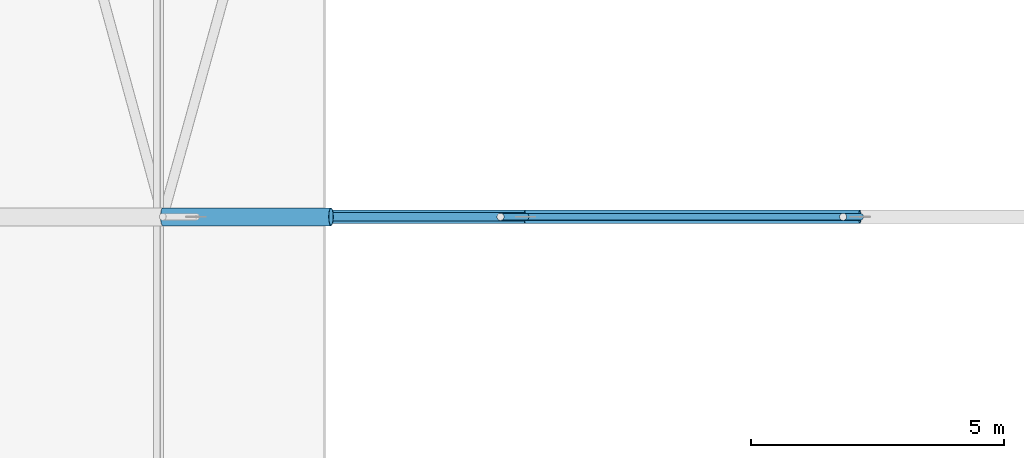
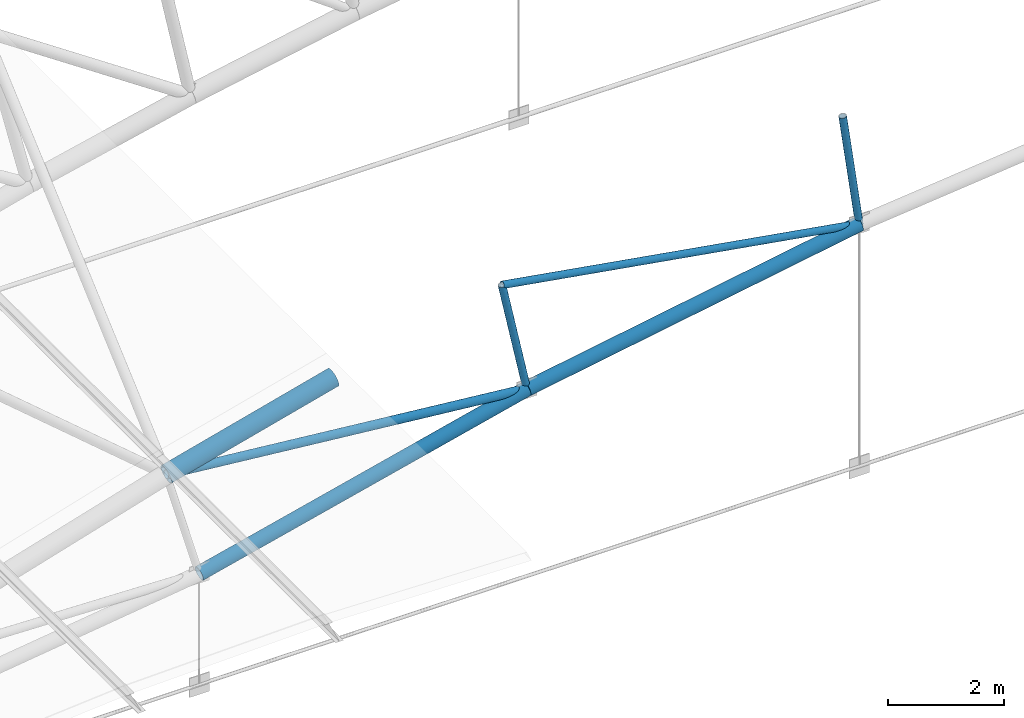
# One storey, part 35 of 321: 7 members.
"""IFC4 building model written with IfcOpenShell, lengths in metres."""

from ifc_helpers import new_model, si_unit, direction, frame, origin, origin_2d, place, context, subcontext, project, spatial, hollow_circle, extrude, material, material_profile, profile_set, type_object, element, save


model = new_model("IFC4")

# Units and contexts
model_context = context("Model", 3, precision=1e-05, world=origin(), true_north=direction((0.0, 1.0)))
body_context = subcontext(model_context, "Body", "Model", "MODEL_VIEW")
ifc_project = project(units=[si_unit("LENGTHUNIT", "METRE"), si_unit("AREAUNIT", "SQUARE_METRE"), si_unit("VOLUMEUNIT", "CUBIC_METRE"), si_unit("PLANEANGLEUNIT", "RADIAN"), si_unit("MASSUNIT", "GRAM", prefix="KILO")], contexts=[model_context])

# Site, building, storey
site_placement = place(None, origin())
site = spatial("IfcSite", under=ifc_project, at=site_placement, CompositionType="ELEMENT")
building_placement = place(site_placement, origin())
building = spatial("IfcBuilding", under=site, at=building_placement, Name="Ravi Spectrum Wholesale Market", CompositionType="ELEMENT")
storey_placement = place(building_placement, frame((0.0, 0.0, 10.800048828125)))
storey = spatial("IfcBuildingStorey", under=building, at=storey_placement, Name="L02", CompositionType="ELEMENT", Elevation=10.800048828125)

# Members
ifc_material_1 = material(Name="Steel S355", Category="steel")
ifc_material_profile_1 = material_profile(ifc_material_1, hollow_circle(Radius=0.06982421875, WallThickness=0.0048828125, at=origin_2d()))
ifc_profile_set_1 = profile_set([ifc_material_profile_1], Name="Steel S355")
member_type_1 = type_object("IfcMemberType", Name="CHS 139.7x5 brace", PredefinedType="BRACE", material=ifc_profile_set_1)
member_1_placement = place(storey_placement, frame((49.55859375, 66.0, 6.30224609375), z_axis=(0.985982518253, 0.0, -0.166848655074), x_axis=(0.0, 1.0, 0.0)))
element("IfcMember", 1, at=member_1_placement, inside=storey, type_object=member_type_1, Name="H1-MB-L02-311", PredefinedType="BRACE", context=body_context, shape_type="SweptSolid", body=[
    extrude(hollow_circle(Radius=0.06982421875, WallThickness=0.0048828125, at=origin_2d()), origin(), (0.0, 0.0, 1.0), 7.1904296875),
])
ifc_material_2 = material(Name="Steel S355", Category="steel")
ifc_material_profile_2 = material_profile(ifc_material_2, hollow_circle(Radius=0.06982421875, WallThickness=0.0048828125, at=origin_2d()))
ifc_profile_set_2 = profile_set([ifc_material_profile_2], Name="Steel S355")
member_type_2 = type_object("IfcMemberType", Name="CHS 139.7x5 post", PredefinedType="POST", material=ifc_profile_set_2)
member_2_placement = place(storey_placement, frame((49.55859375, 66.0, 6.30224609375), z_axis=(0.20547728987, 0.0, -0.978661884078), x_axis=(0.0, 1.0, 0.0)))
element("IfcMember", 2, at=member_2_placement, inside=storey, type_object=member_type_2, Name="H1-MB-L02-300", PredefinedType="POST", context=body_context, shape_type="SweptSolid", body=[
    extrude(hollow_circle(Radius=0.06982421875, WallThickness=0.0048828125, at=origin_2d()), origin(), (0.0, 0.0, 1.0), 2.400146484375),
])
member_3_placement = place(storey_placement, frame((56.318115234375, 66.0, 7.479736328125), z_axis=(0.137532332315, 0.0, -0.990497277921), x_axis=(0.0, 1.0, 0.0)))
element("IfcMember", 3, at=member_3_placement, inside=storey, type_object=member_type_2, Name="H1-MB-L02-301", PredefinedType="POST", context=body_context, shape_type="SweptSolid", body=[
    extrude(hollow_circle(Radius=0.06982421875, WallThickness=0.0048828125, at=origin_2d()), origin(), (0.0, 0.0, 1.0), 2.39990234375),
])
ifc_material_3 = material(Name="Steel S355", Category="steel")
ifc_material_profile_3 = material_profile(ifc_material_3, hollow_circle(Radius=0.084228515625, WallThickness=0.00634765625, at=origin_2d()))
ifc_profile_set_3 = profile_set([ifc_material_profile_3], Name="Steel S355")
member_type_3 = type_object("IfcMemberType", Name="CHS 168.3x6.3 brace", PredefinedType="BRACE", material=ifc_profile_set_3)
member_4_placement = place(storey_placement, frame((42.896240234375, 66.0, 4.661376953125), z_axis=(0.995140525262, 0.0, -0.098464892124), x_axis=(0.0, 1.0, 0.0)))
element("IfcMember", 4, at=member_4_placement, inside=storey, type_object=member_type_3, Name="H1-MB-L02-310", PredefinedType="BRACE", context=body_context, shape_type="SweptSolid", body=[
    extrude(hollow_circle(Radius=0.084228515625, WallThickness=0.00634765625, at=origin_2d()), origin(), (0.0, 0.0, 1.0), 7.1904296875),
])
ifc_material_4 = material(Name="Steel S355", Category="steel")
ifc_material_profile_4 = material_profile(ifc_material_4, hollow_circle(Radius=0.136474609375, WallThickness=0.010009765625, at=origin_2d()))
ifc_profile_set_4 = profile_set([ifc_material_profile_4], Name="Steel S355")
member_type_4 = type_object("IfcMemberType", Name="CHS 273x10 chord", PredefinedType="CHORD", material=ifc_profile_set_4)
for number, where, z_axis, x_axis, name in (
    (5, (43.55029296875, 66.0, 2.35205078125), (0.970981670562, 0.0, 0.23915391578), (0.0, 1.0, 0.0), "H1-MB-L02-288"),
    (6, (50.0517578125, 66.0, 3.953369140625), (0.985162205886, 0.0, 0.171625837489), (0.0, 1.0, 0.0), "H1-MB-L02-289"),
):
    element("IfcMember", number, at=place(storey_placement, frame(where, z_axis=z_axis, x_axis=x_axis)), inside=storey, type_object=member_type_4, Name=name, PredefinedType="CHORD", context=body_context, shape_type="SweptSolid", body=[
        extrude(hollow_circle(Radius=0.136474609375, WallThickness=0.010009765625, at=origin_2d()), origin(), (0.0, 0.0, 1.0), 6.69580078125),
    ])
ifc_material_5 = material(Name="Steel S355", Category="steel")
ifc_material_profile_5 = material_profile(ifc_material_5, hollow_circle(Radius=0.177734375, WallThickness=0.012451171875, at=origin_2d()))
ifc_profile_set_5 = profile_set([ifc_material_profile_5], Name="Steel S355")
member_type_5 = type_object("IfcMemberType", Name="CHS 355.6x12.5 chord", PredefinedType="CHORD", material=ifc_profile_set_5)
member_5_placement = place(storey_placement, frame((42.896240234375, 66.0, 4.661376953125), z_axis=(0.966728003216, 0.0, 0.255806504605), x_axis=(0.0, 1.0, 0.0)))
element("IfcMember", 7, at=member_5_placement, inside=storey, type_object=member_type_5, Name="H1-MB-L02-266", PredefinedType="CHORD", context=body_context, shape_type="SweptSolid", body=[
    extrude(hollow_circle(Radius=0.177734375, WallThickness=0.012451171875, at=origin_2d()), origin(), (0.0, 0.0, 1.0), 3.43115234375),
])

save(model, "model.ifc")
